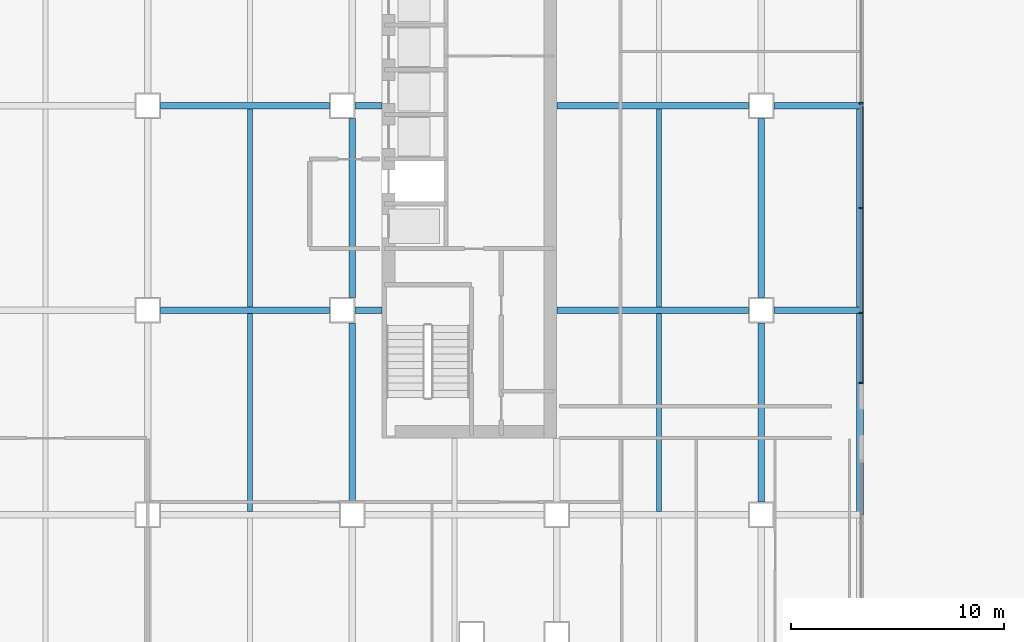
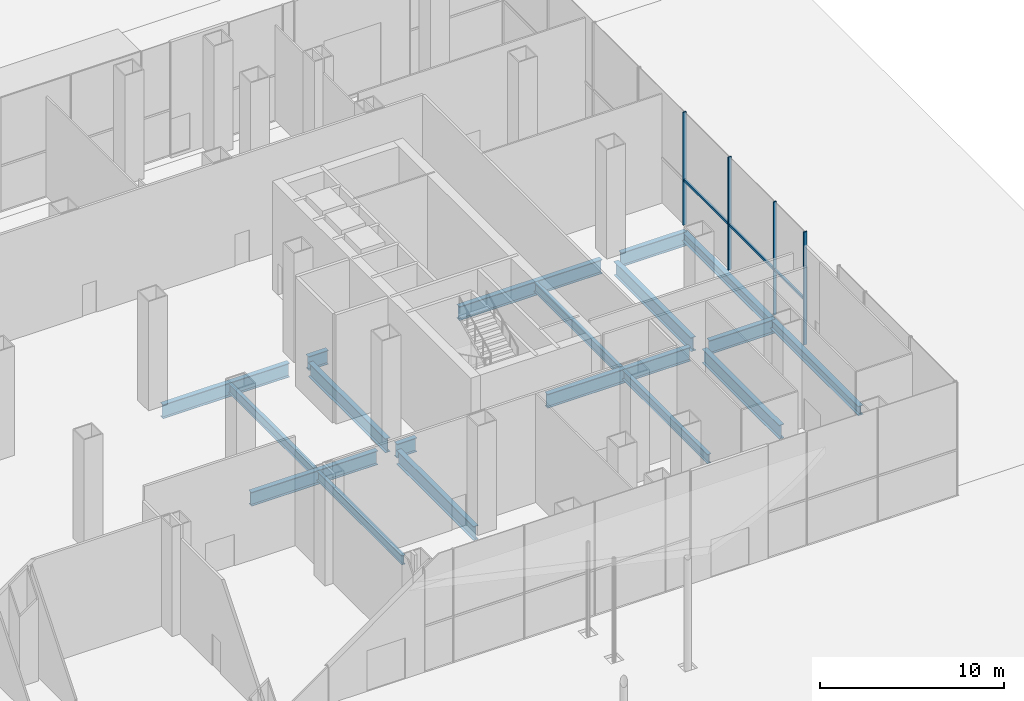
# One storey, part 13 of 36: 18 beams, 7 members, 1 element without a shape of its own.
"""IFC4 building model written with IfcOpenShell, lengths in metres."""

import ifcopenshell
import ifcopenshell.guid

model = None  # the IFC model being written
_history = None  # IfcOwnerHistory: only IFC2X3 demands one
_inside = {}  # id of a spatial element -> (the spatial element, [elements in it])
_under = {}  # id of a project, library or spatial element -> (it, [spatial elements below it])
_declared = {}  # id of a project -> (the project, [libraries it declares])
_typed = {}  # id of a type object -> (the type object, [elements of that type])
_made_of = {}  # id of a material, layer set ... -> (it, [elements and type objects made of it])


def new_model(schema):
    """Start an empty IFC model of exactly this schema.

    Asked for "IFC4X3", IfcOpenShell would pick the latest addendum, in which some entities
    have other attributes; the version numbers below select the first issue.
    IFC2X3 requires an IfcOwnerHistory on every rooted entity: one is made here for all.
    """
    global model, _history
    if schema == "IFC4X3":
        model = ifcopenshell.file(schema_version=(4, 3, 0, 0))
    else:
        model = ifcopenshell.file(schema=schema)
    _inside.clear()
    _under.clear()
    _declared.clear()
    _typed.clear()
    _made_of.clear()
    _history = None
    if model.schema == "IFC2X3":
        org = make("IfcOrganization", Name="unknown")
        user = make(
            "IfcPersonAndOrganization",
            ThePerson=make("IfcPerson", FamilyName="unknown"),
            TheOrganization=org,
        )
        app = make(
            "IfcApplication",
            ApplicationDeveloper=org,
            Version="unknown",
            ApplicationFullName="unknown",
            ApplicationIdentifier="unknown",
        )
        _history = make(
            "IfcOwnerHistory",
            OwningUser=user,
            OwningApplication=app,
            ChangeAction="ADDED",
            CreationDate=0,
        )
    return model


def make(cls, **values):
    """One entity of the class cls with the attributes given. An attribute that is None is left unset."""
    return model.create_entity(
        cls, **{name: value for name, value in values.items() if value is not None}
    )


def rooted(cls, **values):
    """An entity with a GlobalId (a new one), such as an element, a storey or a relation."""
    return make(cls, GlobalId=ifcopenshell.guid.new(), OwnerHistory=_history, **values)


def si_unit(unit_type, name, prefix=None):
    """IfcSIUnit, for example si_unit("LENGTHUNIT", "METRE", prefix="MILLI")."""
    return make("IfcSIUnit", UnitType=unit_type, Prefix=prefix, Name=name)


def assignment(units):
    """IfcUnitAssignment: the units of a project."""
    return None if units is None else make("IfcUnitAssignment", Units=units)


def point(xyz):
    """IfcCartesianPoint."""
    return None if xyz is None else make("IfcCartesianPoint", Coordinates=xyz)


def direction(xyz):
    """IfcDirection."""
    return None if xyz is None else make("IfcDirection", DirectionRatios=xyz)


def frame(location, z_axis=None, x_axis=None):
    """IfcAxis2Placement3D, a coordinate frame: its origin and axes. An axis left out is left unset."""
    return make(
        "IfcAxis2Placement3D",
        Location=point(location),
        Axis=direction(z_axis),
        RefDirection=direction(x_axis),
    )


def frame_2d(location, x_axis=None):
    """IfcAxis2Placement2D, a coordinate frame in the plane: its origin and x axis."""
    return make(
        "IfcAxis2Placement2D", Location=point(location), RefDirection=direction(x_axis)
    )


def origin():
    """The frame at (0, 0, 0) with its axes left unset."""
    return frame((0.0, 0.0, 0.0))


def origin_2d():
    """The frame at (0, 0) in the plane with its x axis left unset."""
    return frame_2d((0.0, 0.0))


def place(relative_to, where):
    """IfcLocalPlacement: puts the frame where relative to a parent placement (None: the world)."""
    return make(
        "IfcLocalPlacement", PlacementRelTo=relative_to, RelativePlacement=where
    )


def context(
    kind, dimensions, precision=None, world=None, true_north=None, identifier=None
):
    """IfcGeometricRepresentationContext, for example the 3D "Model" context."""
    return make(
        "IfcGeometricRepresentationContext",
        ContextIdentifier=identifier,
        ContextType=kind,
        CoordinateSpaceDimension=dimensions,
        Precision=precision,
        WorldCoordinateSystem=world,
        TrueNorth=true_north,
    )


def subcontext(parent, identifier, kind, view, scale=None):
    """IfcGeometricRepresentationSubContext, for example "Body" below "Model"."""
    return make(
        "IfcGeometricRepresentationSubContext",
        ContextIdentifier=identifier,
        ContextType=kind,
        ParentContext=parent,
        TargetScale=scale,
        TargetView=view,
    )


def project(units=None, contexts=None):
    """IfcProject with its units and contexts."""
    return rooted(
        "IfcProject",
        Name="project",
        RepresentationContexts=contexts,
        UnitsInContext=assignment(units),
    )


def spatial(cls, under=None, at=None, **own):
    """A site, building, storey or space (cls), placed at a placement, below another one or the project."""
    s = rooted(cls, ObjectPlacement=at, **own)
    if under is not None:
        _under.setdefault(under.id(), (under, []))[1].append(s)
    return s


def profile(cls, at=None, kind="AREA", **sizes):
    """A parametric profile (cls). Its sizes go by their IFC names, for example OverallWidth=200.0."""
    return make(cls, ProfileType=kind, Position=at, **sizes)


def rectangle(**sizes):
    """IfcRectangleProfileDef."""
    return profile("IfcRectangleProfileDef", **sizes)


def i_section(**sizes):
    """IfcIShapeProfileDef."""
    return profile("IfcIShapeProfileDef", **sizes)


def extrude(swept, where, along, depth):
    """IfcExtrudedAreaSolid: the profile swept, set in the frame where, extruded along a direction by depth."""
    return make(
        "IfcExtrudedAreaSolid",
        SweptArea=swept,
        Position=where,
        ExtrudedDirection=direction(along),
        Depth=depth,
    )


def shape(context_of_items, identifier, shape_type, items):
    """IfcShapeRepresentation: the items that make up one representation, for example the "Body"."""
    return make(
        "IfcShapeRepresentation",
        ContextOfItems=context_of_items,
        RepresentationIdentifier=identifier,
        RepresentationType=shape_type,
        Items=items,
    )


def material(Name=None, Category=None):
    """IfcMaterial."""
    return make("IfcMaterial", Name=Name, Category=Category)


def material_profile(
    of_material, cross_section, Name=None, Category=None, Priority=None
):
    """IfcMaterialProfile: a cross section and its material."""
    return make(
        "IfcMaterialProfile",
        Name=Name,
        Material=of_material,
        Profile=cross_section,
        Priority=Priority,
        Category=Category,
    )


def profile_set(profiles, Name=None, composite=None):
    """IfcMaterialProfileSet."""
    return make(
        "IfcMaterialProfileSet",
        Name=Name,
        MaterialProfiles=profiles,
        CompositeProfile=composite,
    )


def made_of(thing, what):
    """Note that an element or type object is made of a material, layer set ...; save() writes the relation."""
    if what is not None:
        _made_of.setdefault(what.id(), (what, []))[1].append(thing)
    return thing


def type_object(cls, material=None, **own):
    """A type object (cls), such as IfcWallType, which elements share."""
    return made_of(rooted(cls, **own), material)


def element(
    cls,
    number,
    at=None,
    inside=None,
    cuts=None,
    type_object=None,
    material=None,
    context=None,
    identifier="Body",
    shape_type=None,
    held_by="IfcProductDefinitionShape",
    body=None,
    shapes=None,
    **own,
):
    """One element of the class cls, such as IfcWall. Its Tag is "e" and its number.

    at: its placement. inside: the storey or other place that contains it. cuts: it is an
    opening in that element (IfcRelVoidsElement). A single representation is given by context,
    identifier, shape_type and body (its items); several are given by shapes. held_by: the class
    of the entity that holds the representations. save() writes the other relations.
    """
    e = rooted(cls, Tag="e%d" % number, ObjectPlacement=at, **own)
    if body is not None:
        shapes = [shape(context, identifier, shape_type, body)]
    if shapes is not None:
        e.Representation = make(held_by, Representations=shapes)
    if inside is not None:
        _inside.setdefault(inside.id(), (inside, []))[1].append(e)
    if cuts is not None:
        rooted(
            "IfcRelVoidsElement", RelatingBuildingElement=cuts, RelatedOpeningElement=e
        )
    if type_object is not None:
        _typed.setdefault(type_object.id(), (type_object, []))[1].append(e)
    return made_of(e, material)


def aggregate(whole, parts):
    """IfcRelAggregates: a whole, such as a stair, and the parts it consists of."""
    return rooted("IfcRelAggregates", RelatingObject=whole, RelatedObjects=parts)


def save(model, path):
    """Write the relations noted so far, then the file.

    IfcRelAggregates (storeys below a building ...), IfcRelContainedInSpatialStructure (elements
    in a storey), IfcRelDefinesByType, IfcRelAssociatesMaterial and IfcRelDeclares: one each for
    every whole, place, type object, material and project.
    """
    for whole, parts in _under.values():
        aggregate(whole, parts)
    for where, things in _inside.values():
        rooted(
            "IfcRelContainedInSpatialStructure",
            RelatedElements=things,
            RelatingStructure=where,
        )
    for kind, things in _typed.values():
        rooted("IfcRelDefinesByType", RelatedObjects=things, RelatingType=kind)
    for what, things in _made_of.values():
        rooted("IfcRelAssociatesMaterial", RelatedObjects=things, RelatingMaterial=what)
    for by, libraries in _declared.values():
        rooted("IfcRelDeclares", RelatingContext=by, RelatedDefinitions=libraries)
    model.write(path)


model = new_model("IFC4")

# Units and contexts
model_context = context("Model", 3, precision=1e-05, world=origin(), true_north=direction((0.0, 1.0)))
body_context = subcontext(model_context, "Body", "Model", "MODEL_VIEW")
ifc_project = project(units=[si_unit("LENGTHUNIT", "METRE"), si_unit("AREAUNIT", "SQUARE_METRE"), si_unit("VOLUMEUNIT", "CUBIC_METRE"), si_unit("PLANEANGLEUNIT", "RADIAN"), si_unit("MASSUNIT", "GRAM", prefix="KILO")], contexts=[model_context])

# Site, building, storey
site_placement = place(None, origin())
site = spatial("IfcSite", under=ifc_project, at=site_placement, CompositionType="ELEMENT")
building_placement = place(site_placement, origin())
building = spatial("IfcBuilding", under=site, at=building_placement, Name="Cobrizo Arcos Hotel Tower", CompositionType="ELEMENT")
storey_placement = place(building_placement, origin())
storey = spatial("IfcBuildingStorey", under=building, at=storey_placement, Name="L00", CompositionType="ELEMENT", Elevation=0.0)

# Curtain wall, members
ifc_material_1 = material(Name="Aluminium 6063-T6 anodised bronze", Category="aluminium")
curtain_wall_type = type_object("IfcCurtainWallType", Name="CW-B podium glazing", PredefinedType="NOTDEFINED", material=ifc_material_1)
curtain_wall_placement = place(storey_placement, origin())
curtain_wall = element("IfcCurtainWall", 1, at=curtain_wall_placement, inside=storey, type_object=curtain_wall_type, Name="CW-B L00 E face", PredefinedType="NOTDEFINED")
ifc_material_profile_1 = material_profile(ifc_material_1, rectangle(XDim=0.199951171875, YDim=0.080078125, at=origin_2d()), Name="CW-B mullion 200x80")
ifc_profile_set_1 = profile_set([ifc_material_profile_1], Name="Aluminium 6063-T6 anodised bronze")
member_type_1 = type_object("IfcMemberType", Name="CW-B mullion 200x80", PredefinedType="MULLION", material=ifc_profile_set_1)
member_1_placement = place(storey_placement, frame((38.300048828125, -8.2099609375, 0.0), z_axis=(0.0, 0.0, 1.0), x_axis=(1.0, 0.0, 0.0)))
member_1 = element("IfcMember", 2, at=member_1_placement, type_object=member_type_1, Name="CW-B mullion 1", PredefinedType="MULLION", context=body_context, shape_type="SweptSolid", body=[
    extrude(rectangle(XDim=0.199951171875, YDim=0.080078125, at=origin_2d()), origin(), (0.0, 0.0, 1.0), 7.5),
])
member_2_placement = place(storey_placement, frame((38.300048828125, -4.919921875, 0.0), z_axis=(0.0, 0.0, 1.0), x_axis=(1.0, 0.0, 0.0)))
member_2 = element("IfcMember", 3, at=member_2_placement, type_object=member_type_1, Name="CW-B mullion 2", PredefinedType="MULLION", context=body_context, shape_type="SweptSolid", body=[
    extrude(rectangle(XDim=0.199951171875, YDim=0.080078125, at=origin_2d()), origin(), (0.0, 0.0, 1.0), 7.5),
])
member_3_placement = place(storey_placement, frame((38.300048828125, 0.0, 0.0), z_axis=(0.0, 0.0, 1.0), x_axis=(1.0, 0.0, 0.0)))
member_3 = element("IfcMember", 4, at=member_3_placement, type_object=member_type_1, Name="CW-B mullion 3", PredefinedType="MULLION", context=body_context, shape_type="SweptSolid", body=[
    extrude(rectangle(XDim=0.199951171875, YDim=0.080078125, at=origin_2d()), origin(), (0.0, 0.0, 1.0), 7.5),
])
member_4_placement = place(storey_placement, frame((38.300048828125, 4.919921875, 0.0), z_axis=(0.0, 0.0, 1.0), x_axis=(1.0, 0.0, 0.0)))
member_4 = element("IfcMember", 5, at=member_4_placement, type_object=member_type_1, Name="CW-B mullion 4", PredefinedType="MULLION", context=body_context, shape_type="SweptSolid", body=[
    extrude(rectangle(XDim=0.199951171875, YDim=0.080078125, at=origin_2d()), origin(), (0.0, 0.0, 1.0), 7.5),
])
ifc_material_profile_2 = material_profile(ifc_material_1, rectangle(XDim=0.1201171875, YDim=0.159912109375, at=origin_2d()), Name="CW-B transom 160x120")
ifc_profile_set_2 = profile_set([ifc_material_profile_2], Name="Aluminium 6063-T6 anodised bronze")
member_type_2 = type_object("IfcMemberType", Name="CW-B transom 160x120", PredefinedType="USERDEFINED", material=ifc_profile_set_2)
member_5_placement = place(storey_placement, frame((38.300048828125, -8.169921875, 3.0), z_axis=(0.0, 1.0, 0.0), x_axis=(-1.0, 0.0, 0.0)))
member_5 = element("IfcMember", 6, at=member_5_placement, type_object=member_type_2, Name="CW-B transom 4", ObjectType="TRANSOM", PredefinedType="USERDEFINED", context=body_context, shape_type="SweptSolid", body=[
    extrude(rectangle(XDim=0.1201171875, YDim=0.159912109375, at=origin_2d()), origin(), (0.0, 0.0, 1.0), 3.2099609375),
])
member_6_placement = place(storey_placement, frame((38.300048828125, -4.8798828125, 3.0), z_axis=(0.0, 1.0, 0.0), x_axis=(-1.0, 0.0, 0.0)))
member_6 = element("IfcMember", 7, at=member_6_placement, type_object=member_type_2, Name="CW-B transom 5", ObjectType="TRANSOM", PredefinedType="USERDEFINED", context=body_context, shape_type="SweptSolid", body=[
    extrude(rectangle(XDim=0.1201171875, YDim=0.159912109375, at=origin_2d()), origin(), (0.0, 0.0, 1.0), 4.83984375),
])
member_7_placement = place(storey_placement, frame((38.300048828125, 0.0400390625, 3.0), z_axis=(0.0, 1.0, 0.0), x_axis=(-1.0, 0.0, 0.0)))
member_7 = element("IfcMember", 8, at=member_7_placement, type_object=member_type_2, Name="CW-B transom 6", ObjectType="TRANSOM", PredefinedType="USERDEFINED", context=body_context, shape_type="SweptSolid", body=[
    extrude(rectangle(XDim=0.1201171875, YDim=0.159912109375, at=origin_2d()), origin(), (0.0, 0.0, 1.0), 4.83984375),
])
aggregate(curtain_wall, [member_1, member_2, member_3, member_4, member_5, member_6, member_7])

# Beams
ifc_material_2 = material(Name="Steel ASTM A992 Grade 50", Category="steel")
ifc_material_profile_3 = material_profile(ifc_material_2, i_section(OverallWidth=0.32763671875, OverallDepth=0.622314453125, WebThickness=0.015380859375, FlangeThickness=0.0244140625, at=origin_2d()), Name="W24X131")
ifc_profile_set_3 = profile_set([ifc_material_profile_3], Name="Steel ASTM A992 Grade 50")
beam_type_1 = type_object("IfcBeamType", Name="W24X131 edge beam", PredefinedType="BEAM", material=ifc_profile_set_3)
beam_1_placement = place(storey_placement, frame((38.236083984375, -14.39990234375, -0.611083984375), z_axis=(0.0, 1.0, 0.0), x_axis=(-1.0, 0.0, 0.0)))
element("IfcBeam", 9, at=beam_1_placement, inside=storey, type_object=beam_type_1, Name="Edge beam EB1, L00, no. 002", PredefinedType="BEAM", context=body_context, shape_type="SweptSolid", body=[
    extrude(i_section(OverallWidth=0.32763671875, OverallDepth=0.622314453125, WebThickness=0.015380859375, FlangeThickness=0.0244140625, at=origin_2d()), origin(), (0.0, 0.0, 1.0), 9.599853515625),
])
beam_2_placement = place(storey_placement, frame((38.236083984375, -4.800048828125, -0.611083984375), z_axis=(0.0, 1.0, 0.0), x_axis=(-1.0, 0.0, 0.0)))
element("IfcBeam", 10, at=beam_2_placement, inside=storey, type_object=beam_type_1, Name="Edge beam EB1, L00, no. 003", PredefinedType="BEAM", context=body_context, shape_type="SweptSolid", body=[
    extrude(i_section(OverallWidth=0.32763671875, OverallDepth=0.622314453125, WebThickness=0.015380859375, FlangeThickness=0.0244140625, at=origin_2d()), origin(), (0.0, 0.0, 1.0), 9.60009765625),
])
ifc_material_profile_4 = material_profile(ifc_material_2, i_section(OverallWidth=0.23046875, OverallDepth=0.6171875, WebThickness=0.01318359375, FlangeThickness=0.022216796875, at=origin_2d()), Name="W24X94")
ifc_profile_set_4 = profile_set([ifc_material_profile_4], Name="Steel ASTM A992 Grade 50")
beam_type_2 = type_object("IfcBeamType", Name="W24X94 podium joist", PredefinedType="JOIST", material=ifc_profile_set_4)
beam_3_placement = place(storey_placement, frame((9.60009765625, -14.246337890625, -0.608642578125), z_axis=(0.0, 1.0, 0.0), x_axis=(-1.0, 0.0, 0.0)))
element("IfcBeam", 11, at=beam_3_placement, inside=storey, type_object=beam_type_2, Name="Podium joist PJ1, L00, no. 021", PredefinedType="JOIST", context=body_context, shape_type="SweptSolid", body=[
    extrude(i_section(OverallWidth=0.23046875, OverallDepth=0.6171875, WebThickness=0.01318359375, FlangeThickness=0.022216796875, at=origin_2d()), origin(), (0.0, 0.0, 1.0), 9.292724609375),
])
beam_4_placement = place(storey_placement, frame((9.60009765625, -4.646240234375, -0.608642578125), z_axis=(0.0, 1.0, 0.0), x_axis=(-1.0, 0.0, 0.0)))
element("IfcBeam", 12, at=beam_4_placement, inside=storey, type_object=beam_type_2, Name="Podium joist PJ1, L00, no. 022", PredefinedType="JOIST", context=body_context, shape_type="SweptSolid", body=[
    extrude(i_section(OverallWidth=0.23046875, OverallDepth=0.6171875, WebThickness=0.01318359375, FlangeThickness=0.022216796875, at=origin_2d()), origin(), (0.0, 0.0, 1.0), 9.29248046875),
])
beam_5_placement = place(storey_placement, frame((28.800048828125, -14.246337890625, -0.608642578125), z_axis=(0.0, 1.0, 0.0), x_axis=(-1.0, 0.0, 0.0)))
element("IfcBeam", 13, at=beam_5_placement, inside=storey, type_object=beam_type_2, Name="Podium joist PJ1, L00, no. 030", PredefinedType="JOIST", context=body_context, shape_type="SweptSolid", body=[
    extrude(i_section(OverallWidth=0.23046875, OverallDepth=0.6171875, WebThickness=0.01318359375, FlangeThickness=0.022216796875, at=origin_2d()), origin(), (0.0, 0.0, 1.0), 9.292724609375),
])
beam_6_placement = place(storey_placement, frame((28.800048828125, -4.646240234375, -0.608642578125), z_axis=(0.0, 1.0, 0.0), x_axis=(-1.0, 0.0, 0.0)))
element("IfcBeam", 14, at=beam_6_placement, inside=storey, type_object=beam_type_2, Name="Podium joist PJ1, L00, no. 031", PredefinedType="JOIST", context=body_context, shape_type="SweptSolid", body=[
    extrude(i_section(OverallWidth=0.23046875, OverallDepth=0.6171875, WebThickness=0.01318359375, FlangeThickness=0.022216796875, at=origin_2d()), origin(), (0.0, 0.0, 1.0), 9.29248046875),
])
ifc_material_profile_5 = material_profile(ifc_material_2, i_section(OverallWidth=0.307373046875, OverallDepth=0.927001953125, WebThickness=0.01953125, FlangeThickness=0.031982421875, at=origin_2d()), Name="W36X194")
ifc_profile_set_5 = profile_set([ifc_material_profile_5], Name="Steel ASTM A992 Grade 50")
beam_type_3 = type_object("IfcBeamType", Name="W36X194 podium girder", PredefinedType="BEAM", material=ifc_profile_set_5)
beam_7_placement = place(storey_placement, frame((5.39990234375, -4.800048828125, -0.763427734375), z_axis=(1.0, 0.0, 0.0), x_axis=(0.0, 1.0, 0.0)))
element("IfcBeam", 15, at=beam_7_placement, inside=storey, type_object=beam_type_3, Name="Podium girder PG1, L00, no. 014", PredefinedType="BEAM", context=body_context, shape_type="SweptSolid", body=[
    extrude(i_section(OverallWidth=0.307373046875, OverallDepth=0.927001953125, WebThickness=0.01953125, FlangeThickness=0.031982421875, at=origin_2d()), origin(), (0.0, 0.0, 1.0), 7.940185546875),
])
beam_8_placement = place(storey_placement, frame((14.5400390625, -4.800048828125, -0.763427734375), z_axis=(1.0, 0.0, 0.0), x_axis=(0.0, 1.0, 0.0)))
element("IfcBeam", 16, at=beam_8_placement, inside=storey, type_object=beam_type_3, Name="Podium girder PG1, L00, no. 015", PredefinedType="BEAM", context=body_context, shape_type="SweptSolid", body=[
    extrude(i_section(OverallWidth=0.307373046875, OverallDepth=0.927001953125, WebThickness=0.01953125, FlangeThickness=0.031982421875, at=origin_2d()), origin(), (0.0, 0.0, 1.0), 1.25),
])
beam_9_placement = place(storey_placement, frame((24.010009765625, -4.800048828125, -0.763427734375), z_axis=(1.0, 0.0, 0.0), x_axis=(0.0, 1.0, 0.0)))
element("IfcBeam", 17, at=beam_9_placement, inside=storey, type_object=beam_type_3, Name="Podium girder PG1, L00, no. 016", PredefinedType="BEAM", context=body_context, shape_type="SweptSolid", body=[
    extrude(i_section(OverallWidth=0.307373046875, OverallDepth=0.927001953125, WebThickness=0.01953125, FlangeThickness=0.031982421875, at=origin_2d()), origin(), (0.0, 0.0, 1.0), 8.989990234375),
])
beam_10_placement = place(storey_placement, frame((34.199951171875, -4.800048828125, -0.763427734375), z_axis=(1.0, 0.0, 0.0), x_axis=(0.0, 1.0, 0.0)))
element("IfcBeam", 18, at=beam_10_placement, inside=storey, type_object=beam_type_3, Name="Podium girder PG1, L00, no. 017", PredefinedType="BEAM", context=body_context, shape_type="SweptSolid", body=[
    extrude(i_section(OverallWidth=0.307373046875, OverallDepth=0.927001953125, WebThickness=0.01953125, FlangeThickness=0.031982421875, at=origin_2d()), origin(), (0.0, 0.0, 1.0), 4.110107421875),
])
beam_11_placement = place(storey_placement, frame((5.39990234375, 4.800048828125, -0.763427734375), z_axis=(1.0, 0.0, 0.0), x_axis=(0.0, 1.0, 0.0)))
element("IfcBeam", 19, at=beam_11_placement, inside=storey, type_object=beam_type_3, Name="Podium girder PG1, L00, no. 022", PredefinedType="BEAM", context=body_context, shape_type="SweptSolid", body=[
    extrude(i_section(OverallWidth=0.307373046875, OverallDepth=0.927001953125, WebThickness=0.01953125, FlangeThickness=0.031982421875, at=origin_2d()), origin(), (0.0, 0.0, 1.0), 7.940185546875),
])
beam_12_placement = place(storey_placement, frame((14.5400390625, 4.800048828125, -0.763427734375), z_axis=(1.0, 0.0, 0.0), x_axis=(0.0, 1.0, 0.0)))
element("IfcBeam", 20, at=beam_12_placement, inside=storey, type_object=beam_type_3, Name="Podium girder PG1, L00, no. 023", PredefinedType="BEAM", context=body_context, shape_type="SweptSolid", body=[
    extrude(i_section(OverallWidth=0.307373046875, OverallDepth=0.927001953125, WebThickness=0.01953125, FlangeThickness=0.031982421875, at=origin_2d()), origin(), (0.0, 0.0, 1.0), 1.25),
])
beam_13_placement = place(storey_placement, frame((24.010009765625, 4.800048828125, -0.763427734375), z_axis=(1.0, 0.0, 0.0), x_axis=(0.0, 1.0, 0.0)))
element("IfcBeam", 21, at=beam_13_placement, inside=storey, type_object=beam_type_3, Name="Podium girder PG1, L00, no. 024", PredefinedType="BEAM", context=body_context, shape_type="SweptSolid", body=[
    extrude(i_section(OverallWidth=0.307373046875, OverallDepth=0.927001953125, WebThickness=0.01953125, FlangeThickness=0.031982421875, at=origin_2d()), origin(), (0.0, 0.0, 1.0), 8.989990234375),
])
beam_14_placement = place(storey_placement, frame((34.199951171875, 4.800048828125, -0.763427734375), z_axis=(1.0, 0.0, 0.0), x_axis=(0.0, 1.0, 0.0)))
element("IfcBeam", 22, at=beam_14_placement, inside=storey, type_object=beam_type_3, Name="Podium girder PG1, L00, no. 025", PredefinedType="BEAM", context=body_context, shape_type="SweptSolid", body=[
    extrude(i_section(OverallWidth=0.307373046875, OverallDepth=0.927001953125, WebThickness=0.01953125, FlangeThickness=0.031982421875, at=origin_2d()), origin(), (0.0, 0.0, 1.0), 4.110107421875),
])
beam_15_placement = place(storey_placement, frame((14.39990234375, -13.800048828125, -0.763427734375), z_axis=(0.0, 1.0, 0.0), x_axis=(-1.0, 0.0, 0.0)))
element("IfcBeam", 23, at=beam_15_placement, inside=storey, type_object=beam_type_3, Name="Podium girder PG1, L00, no. 062", PredefinedType="BEAM", context=body_context, shape_type="SweptSolid", body=[
    extrude(i_section(OverallWidth=0.307373046875, OverallDepth=0.927001953125, WebThickness=0.01953125, FlangeThickness=0.031982421875, at=origin_2d()), origin(), (0.0, 0.0, 1.0), 8.400146484375),
])
beam_16_placement = place(storey_placement, frame((14.39990234375, -4.199951171875, -0.763427734375), z_axis=(0.0, 1.0, 0.0), x_axis=(-1.0, 0.0, 0.0)))
element("IfcBeam", 24, at=beam_16_placement, inside=storey, type_object=beam_type_3, Name="Podium girder PG1, L00, no. 063", PredefinedType="BEAM", context=body_context, shape_type="SweptSolid", body=[
    extrude(i_section(OverallWidth=0.307373046875, OverallDepth=0.927001953125, WebThickness=0.01953125, FlangeThickness=0.031982421875, at=origin_2d()), origin(), (0.0, 0.0, 1.0), 8.39990234375),
])
beam_17_placement = place(storey_placement, frame((33.60009765625, -13.800048828125, -0.763427734375), z_axis=(0.0, 1.0, 0.0), x_axis=(-1.0, 0.0, 0.0)))
element("IfcBeam", 25, at=beam_17_placement, inside=storey, type_object=beam_type_3, Name="Podium girder PG1, L00, no. 073", PredefinedType="BEAM", context=body_context, shape_type="SweptSolid", body=[
    extrude(i_section(OverallWidth=0.307373046875, OverallDepth=0.927001953125, WebThickness=0.01953125, FlangeThickness=0.031982421875, at=origin_2d()), origin(), (0.0, 0.0, 1.0), 8.400146484375),
])
beam_18_placement = place(storey_placement, frame((33.60009765625, -4.199951171875, -0.763427734375), z_axis=(0.0, 1.0, 0.0), x_axis=(-1.0, 0.0, 0.0)))
element("IfcBeam", 26, at=beam_18_placement, inside=storey, type_object=beam_type_3, Name="Podium girder PG1, L00, no. 074", PredefinedType="BEAM", context=body_context, shape_type="SweptSolid", body=[
    extrude(i_section(OverallWidth=0.307373046875, OverallDepth=0.927001953125, WebThickness=0.01953125, FlangeThickness=0.031982421875, at=origin_2d()), origin(), (0.0, 0.0, 1.0), 8.39990234375),
])

save(model, "model.ifc")
